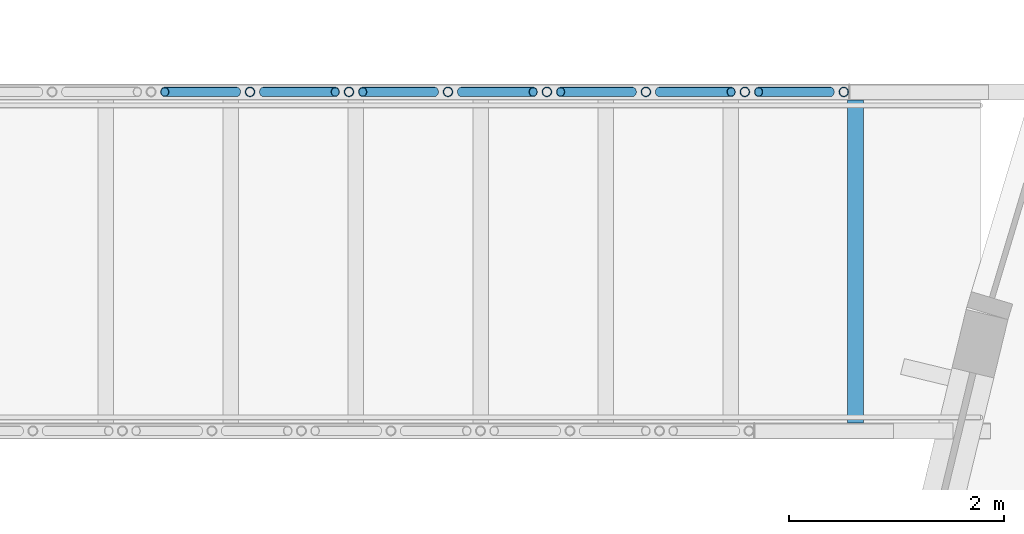
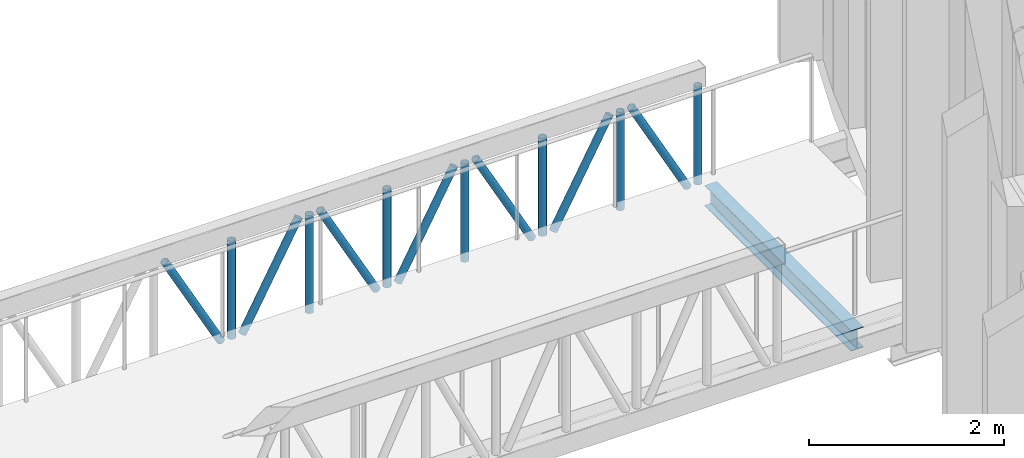
# One storey, part 36 of 93: 14 members, 1 beam.
"""IFC4 building model written with IfcOpenShell, lengths in metres."""

from ifc_helpers import new_model, si_unit, direction, frame, origin, origin_2d, place, context, subcontext, project, spatial, hollow_circle, i_section, extrude, material, material_profile, profile_set, type_object, element, save


model = new_model("IFC4")

# Units and contexts
model_context = context("Model", 3, precision=1e-05, world=origin(), true_north=direction((0.0, 1.0)))
body_context = subcontext(model_context, "Body", "Model", "MODEL_VIEW")
ifc_project = project(units=[si_unit("LENGTHUNIT", "METRE"), si_unit("AREAUNIT", "SQUARE_METRE"), si_unit("VOLUMEUNIT", "CUBIC_METRE"), si_unit("PLANEANGLEUNIT", "RADIAN"), si_unit("MASSUNIT", "GRAM", prefix="KILO")], contexts=[model_context])

# Site, building, storey
site_placement = place(None, origin())
site = spatial("IfcSite", under=ifc_project, at=site_placement, CompositionType="ELEMENT")
building_placement = place(site_placement, origin())
building = spatial("IfcBuilding", under=site, at=building_placement, Name="Tide Square Theatres", CompositionType="ELEMENT")
storey_placement = place(building_placement, frame((0.0, 0.0, 5.39990234375)))
storey = spatial("IfcBuildingStorey", under=building, at=storey_placement, Name="L01", CompositionType="ELEMENT", Elevation=5.39990234375)

# Beam
ifc_material_1 = material(Name="Steel ASTM A572 Grade 50", Category="steel")
ifc_material_profile_1 = material_profile(ifc_material_1, i_section(OverallWidth=0.14599609375, OverallDepth=0.258056640625, WebThickness=0.006103515625, FlangeThickness=0.009033203125, FilletRadius=0.010009765625, at=origin_2d()))
ifc_profile_set_1 = profile_set([ifc_material_profile_1], Name="Steel ASTM A572 Grade 50")
beam_type = type_object("IfcBeamType", Name="Steel beam W 250 x 32.7", PredefinedType="BEAM", material=ifc_profile_set_1)
beam_placement = place(storey_placement, frame((118.0166015625, 59.5, -0.27978515625), z_axis=(0.0, -1.0, 0.0), x_axis=(1.0, 0.0, 0.0)))
element("IfcBeam", 1, at=beam_placement, inside=storey, type_object=beam_type, Name="Bridge BR-E1 cross beam", PredefinedType="BEAM", context=body_context, shape_type="SweptSolid", body=[
    extrude(i_section(OverallWidth=0.14599609375, OverallDepth=0.258056640625, WebThickness=0.006103515625, FlangeThickness=0.009033203125, FilletRadius=0.010009765625, at=origin_2d()), origin(), (0.0, 0.0, 1.0), 3.0),
])

# Members
ifc_material_2 = material(Name="Steel ASTM A500 Grade C", Category="steel")
ifc_material_profile_2 = material_profile(ifc_material_2, hollow_circle(Radius=0.04443359375, WallThickness=0.0048828125, at=origin_2d()))
ifc_profile_set_2 = profile_set([ifc_material_profile_2], Name="Steel ASTM A500 Grade C")
member_type_1 = type_object("IfcMemberType", Name="Steel brace CHS 88.9 x 5.0", PredefinedType="BRACE", material=ifc_profile_set_2)
member_1_placement = place(storey_placement, frame((117.77978515625, 59.574951171875, -0.14990234375), z_axis=(-0.476948838574, 0.0, 0.878931058379), x_axis=(0.0, -1.0, 0.0)))
element("IfcMember", 2, at=member_1_placement, inside=storey, type_object=member_type_1, Name="Bridge BR-E1 diagonal", PredefinedType="BRACE", context=body_context, shape_type="SweptSolid", body=[
    extrude(hollow_circle(Radius=0.04443359375, WallThickness=0.0048828125, at=origin_2d()), origin(), (0.0, 0.0, 1.0), 1.393798828125),
])
for number, where, z_axis, x_axis, name in (
    (3, (116.8603515625, 59.574951171875, 1.0751953125), (-0.477084132828, 0.0, -0.878857627949), (0.0, -1.0, 0.0), "Bridge BR-E1 diagonal"),
    (4, (115.940673828125, 59.574951171875, -0.14990234375), (-0.477084132828, 0.0, 0.878857627949), (0.0, -1.0, 0.0), "Bridge BR-E1 diagonal"),
):
    element("IfcMember", number, at=place(storey_placement, frame(where, z_axis=z_axis, x_axis=x_axis)), inside=storey, type_object=member_type_1, Name=name, PredefinedType="BRACE", context=body_context, shape_type="SweptSolid", body=[
        extrude(hollow_circle(Radius=0.04443359375, WallThickness=0.0048828125, at=origin_2d()), origin(), (0.0, 0.0, 1.0), 1.39404296875),
    ])
member_2_placement = place(storey_placement, frame((115.02099609375, 59.574951171875, 1.0751953125), z_axis=(-0.476948838574, 0.0, -0.878931058379), x_axis=(0.0, -1.0, 0.0)))
element("IfcMember", 5, at=member_2_placement, inside=storey, type_object=member_type_1, Name="Bridge BR-E1 diagonal", PredefinedType="BRACE", context=body_context, shape_type="SweptSolid", body=[
    extrude(hollow_circle(Radius=0.04443359375, WallThickness=0.0048828125, at=origin_2d()), origin(), (0.0, 0.0, 1.0), 1.393798828125),
])
member_3_placement = place(storey_placement, frame((114.1015625, 59.574951171875, -0.14990234375), z_axis=(-0.477084132828, 0.0, 0.878857627949), x_axis=(0.0, -1.0, 0.0)))
element("IfcMember", 6, at=member_3_placement, inside=storey, type_object=member_type_1, Name="Bridge BR-E1 diagonal", PredefinedType="BRACE", context=body_context, shape_type="SweptSolid", body=[
    extrude(hollow_circle(Radius=0.04443359375, WallThickness=0.0048828125, at=origin_2d()), origin(), (0.0, 0.0, 1.0), 1.39404296875),
])
member_4_placement = place(storey_placement, frame((113.181884765625, 59.574951171875, 1.0751953125), z_axis=(-0.476948838574, 0.0, -0.878931058379), x_axis=(0.0, -1.0, 0.0)))
element("IfcMember", 7, at=member_4_placement, inside=storey, type_object=member_type_1, Name="Bridge BR-E1 diagonal", PredefinedType="BRACE", context=body_context, shape_type="SweptSolid", body=[
    extrude(hollow_circle(Radius=0.04443359375, WallThickness=0.0048828125, at=origin_2d()), origin(), (0.0, 0.0, 1.0), 1.393798828125),
])
member_5_placement = place(storey_placement, frame((112.262451171875, 59.574951171875, -0.14990234375), z_axis=(-0.477084132828, 0.0, 0.878857627949), x_axis=(0.0, -1.0, 0.0)))
element("IfcMember", 8, at=member_5_placement, inside=storey, type_object=member_type_1, Name="Bridge BR-E1 diagonal", PredefinedType="BRACE", context=body_context, shape_type="SweptSolid", body=[
    extrude(hollow_circle(Radius=0.04443359375, WallThickness=0.0048828125, at=origin_2d()), origin(), (0.0, 0.0, 1.0), 1.39404296875),
])
ifc_material_3 = material(Name="Steel ASTM A500 Grade C", Category="steel")
ifc_material_profile_3 = material_profile(ifc_material_3, hollow_circle(Radius=0.04443359375, WallThickness=0.0048828125, at=origin_2d()))
ifc_profile_set_3 = profile_set([ifc_material_profile_3], Name="Steel ASTM A500 Grade C")
member_type_2 = type_object("IfcMemberType", Name="Steel strut CHS 88.9 x 5.0", PredefinedType="STRUT", material=ifc_profile_set_3)
for number, where, z_axis, x_axis, name in (
    (9, (117.906982421875, 59.574951171875, -0.14990234375), (0.0, 0.0, 1.0), (1.0, 0.0, 0.0), "Bridge BR-E1 post"),
    (10, (116.987548828125, 59.574951171875, -0.14990234375), (0.0, 0.0, 1.0), (1.0, 0.0, 0.0), "Bridge BR-E1 post"),
    (11, (116.068115234375, 59.574951171875, -0.14990234375), (0.0, 0.0, 1.0), (1.0, 0.0, 0.0), "Bridge BR-E1 post"),
    (12, (115.1484375, 59.574951171875, -0.14990234375), (0.0, 0.0, 1.0), (1.0, 0.0, 0.0), "Bridge BR-E1 post"),
    (13, (114.22900390625, 59.574951171875, -0.14990234375), (0.0, 0.0, 1.0), (1.0, 0.0, 0.0), "Bridge BR-E1 post"),
    (14, (113.309326171875, 59.574951171875, -0.14990234375), (0.0, 0.0, 1.0), (1.0, 0.0, 0.0), "Bridge BR-E1 post"),
    (15, (112.3896484375, 59.574951171875, -0.14990234375), (0.0, 0.0, 1.0), (1.0, 0.0, 0.0), "Bridge BR-E1 post"),
):
    element("IfcMember", number, at=place(storey_placement, frame(where, z_axis=z_axis, x_axis=x_axis)), inside=storey, type_object=member_type_2, Name=name, PredefinedType="STRUT", context=body_context, shape_type="SweptSolid", body=[
        extrude(hollow_circle(Radius=0.04443359375, WallThickness=0.0048828125, at=origin_2d()), origin(), (0.0, 0.0, 1.0), 1.22509765625),
    ])

save(model, "model.ifc")
